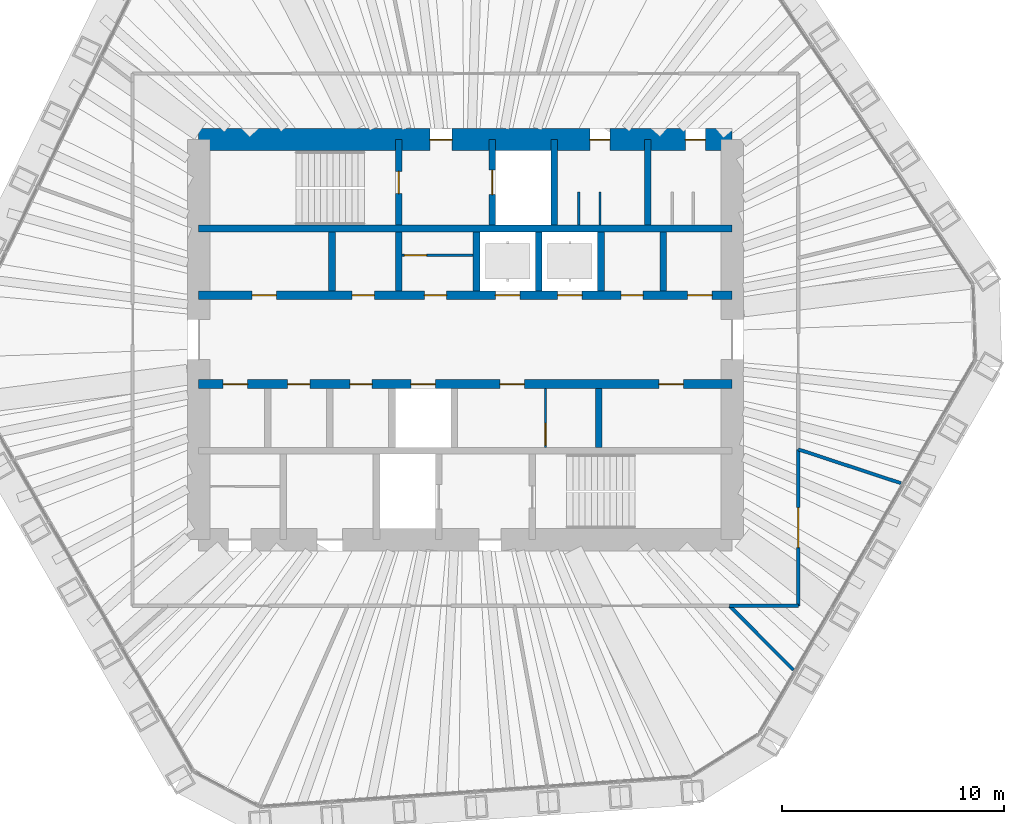
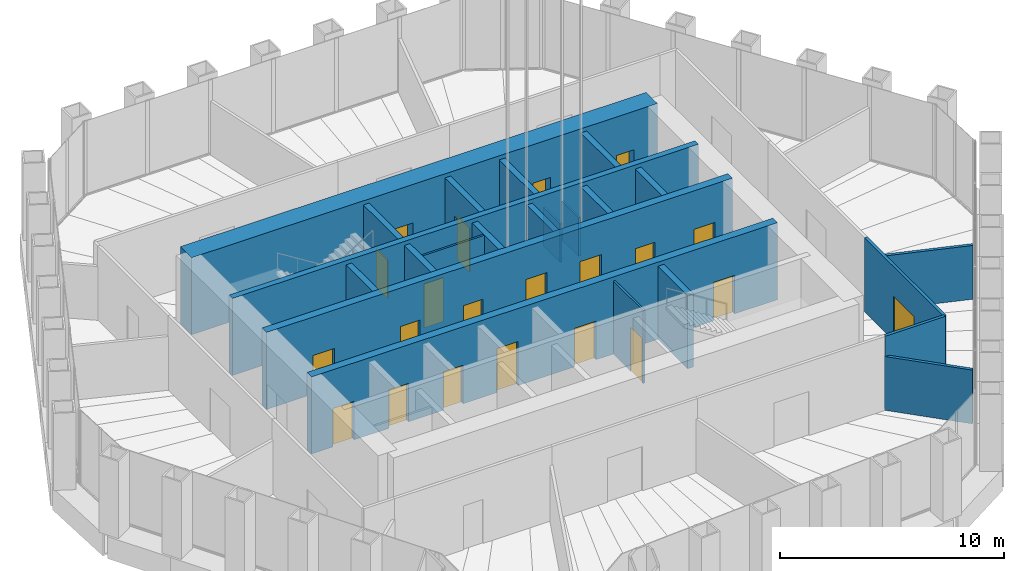
# One storey, part 12 of 19: 23 walls, 21 doors, 21 openings.
"""IFC4 building model written with IfcOpenShell, lengths in metres."""

from ifc_helpers import new_model, si_unit, direction, frame, frame_2d, origin, place, context, subcontext, project, spatial, rectangle, extrude, material, layer, layer_set, type_object, element, fill, save


model = new_model("IFC4")

# Units and contexts
model_context = context("Model", 3, precision=1e-05, world=origin(), true_north=direction((0.0, 1.0)))
body_context = subcontext(model_context, "Body", "Model", "MODEL_VIEW")
ifc_project = project(units=[si_unit("LENGTHUNIT", "METRE"), si_unit("AREAUNIT", "SQUARE_METRE"), si_unit("VOLUMEUNIT", "CUBIC_METRE"), si_unit("PLANEANGLEUNIT", "RADIAN"), si_unit("MASSUNIT", "GRAM", prefix="KILO")], contexts=[model_context])

# Site, building, storey
site_placement = place(None, origin())
site = spatial("IfcSite", under=ifc_project, at=site_placement, CompositionType="ELEMENT")
building_placement = place(site_placement, origin())
building = spatial("IfcBuilding", under=site, at=building_placement, Name="Qingtian Harvest Tower", CompositionType="ELEMENT")
storey_placement = place(building_placement, frame((0.0, 0.0, 262.0)))
storey = spatial("IfcBuildingStorey", under=building, at=storey_placement, Name="L57", CompositionType="ELEMENT", Elevation=262.0)

# Wall
ifc_material_1 = material(Name="Concrete fc' 70 MPa", Category="concrete")
ifc_layer_1 = layer(ifc_material_1, 0.300048828125)
ifc_layer_set_1 = layer_set([ifc_layer_1], Name="Core inner wall RC5 300")
wall_type_1 = type_object("IfcWallType", Name="Core inner wall RC5 300", PredefinedType="SHEAR", material=ifc_layer_set_1)
wall_1_placement = place(storey_placement, frame((-12.0, 5.0, 0.0), z_axis=(0.0, 0.0, 1.0), x_axis=(1.0, 0.0, 0.0)))
element("IfcWall", 1, at=wall_1_placement, inside=storey, type_object=wall_type_1, Name="Core wall IN5 L57", PredefinedType="SHEAR", context=body_context, shape_type="SweptSolid", body=[
    extrude(rectangle(XDim=24.0, YDim=0.300048828125, at=frame_2d((12.0, 0.0))), origin(), (0.0, 0.0, 1.0), 4.199951171875),
])

# Wall, openings, doors
ifc_material_2 = material(Name="Concrete fc' 70 MPa", Category="concrete")
ifc_layer_2 = layer(ifc_material_2, 0.39990234375)
ifc_layer_set_2 = layer_set([ifc_layer_2], Name="Core inner web RC6 400")
wall_type_2 = type_object("IfcWallType", Name="Core inner web RC6 400", PredefinedType="SHEAR", material=ifc_layer_set_2)
wall_2_placement = place(storey_placement, frame((-12.0, 2.0, 0.0), z_axis=(0.0, 0.0, 1.0), x_axis=(1.0, 0.0, 0.0)))
wall_2 = element("IfcWall", 2, at=wall_2_placement, inside=storey, type_object=wall_type_2, Name="Core wall IN2 L57", PredefinedType="SHEAR", context=body_context, shape_type="SweptSolid", body=[
    extrude(rectangle(XDim=24.0, YDim=0.39990234375, at=frame_2d((12.0, 0.0))), origin(), (0.0, 0.0, 1.0), 4.199951171875),
])
opening_1_placement = place(wall_2_placement, frame((2.39990234375, 0.0, 0.0)))
opening_1 = element("IfcOpeningElement", 3, at=opening_1_placement, cuts=wall_2, Name="Opening FD4", PredefinedType="OPENING", context=body_context, shape_type="SweptSolid", body=[
    extrude(rectangle(XDim=1.10009765625, YDim=2.10009765625, at=frame_2d((0.550048828125, 1.050048828125))), frame((0.0, 0.2099609375, 0.0), z_axis=(0.0, -1.0, 0.0), x_axis=(1.0, 0.0, 0.0)), (0.0, 0.0, 1.0), 0.419921875),
])
opening_2_placement = place(wall_2_placement, frame((22.0, 0.0, 0.0)))
opening_2 = element("IfcOpeningElement", 4, at=opening_2_placement, cuts=wall_2, Name="Opening FD4", PredefinedType="OPENING", context=body_context, shape_type="SweptSolid", body=[
    extrude(rectangle(XDim=1.10009765625, YDim=2.10009765625, at=frame_2d((0.550048828125, 1.050048828125))), frame((0.0, 0.2099609375, 0.0), z_axis=(0.0, -1.0, 0.0), x_axis=(1.0, 0.0, 0.0)), (0.0, 0.0, 1.0), 0.419921875),
])
opening_3_placement = place(wall_2_placement, frame((10.14990234375, 0.0, 0.0)))
opening_3 = element("IfcOpeningElement", 5, at=opening_3_placement, cuts=wall_2, Name="Opening FD1", PredefinedType="OPENING", context=body_context, shape_type="SweptSolid", body=[
    extrude(rectangle(XDim=1.0, YDim=2.10009765625, at=frame_2d((0.5, 1.050048828125))), frame((0.0, 0.2099609375, 0.0), z_axis=(0.0, -1.0, 0.0), x_axis=(1.0, 0.0, 0.0)), (0.0, 0.0, 1.0), 0.419921875),
])
opening_4_placement = place(wall_2_placement, frame((6.89990234375, 0.0, 0.0)))
opening_4 = element("IfcOpeningElement", 6, at=opening_4_placement, cuts=wall_2, Name="Opening FD1", PredefinedType="OPENING", context=body_context, shape_type="SweptSolid", body=[
    extrude(rectangle(XDim=1.0, YDim=2.10009765625, at=frame_2d((0.5, 1.050048828125))), frame((0.0, 0.2099609375, 0.0), z_axis=(0.0, -1.0, 0.0), x_axis=(1.0, 0.0, 0.0)), (0.0, 0.0, 1.0), 0.419921875),
])
opening_5_placement = place(wall_2_placement, frame((13.35009765625, 0.0, 0.0)))
opening_5 = element("IfcOpeningElement", 7, at=opening_5_placement, cuts=wall_2, Name="Opening LD1", PredefinedType="OPENING", context=body_context, shape_type="SweptSolid", body=[
    extrude(rectangle(XDim=1.10009765625, YDim=2.39990234375, at=frame_2d((0.550048828125, 1.199951171875))), frame((0.0, 0.2099609375, 0.0), z_axis=(0.0, -1.0, 0.0), x_axis=(1.0, 0.0, 0.0)), (0.0, 0.0, 1.0), 0.419921875),
])
opening_6_placement = place(wall_2_placement, frame((16.14990234375, 0.0, 0.0)))
opening_6 = element("IfcOpeningElement", 8, at=opening_6_placement, cuts=wall_2, Name="Opening LD1", PredefinedType="OPENING", context=body_context, shape_type="SweptSolid", body=[
    extrude(rectangle(XDim=1.10009765625, YDim=2.39990234375, at=frame_2d((0.550048828125, 1.199951171875))), frame((0.0, 0.2099609375, 0.0), z_axis=(0.0, -1.0, 0.0), x_axis=(1.0, 0.0, 0.0)), (0.0, 0.0, 1.0), 0.419921875),
])
opening_7_placement = place(wall_2_placement, frame((19.0, 0.0, 0.0)))
opening_7 = element("IfcOpeningElement", 9, at=opening_7_placement, cuts=wall_2, Name="Opening FD1", PredefinedType="OPENING", context=body_context, shape_type="SweptSolid", body=[
    extrude(rectangle(XDim=1.0, YDim=2.10009765625, at=frame_2d((0.5, 1.050048828125))), frame((0.0, 0.2099609375, 0.0), z_axis=(0.0, -1.0, 0.0), x_axis=(1.0, 0.0, 0.0)), (0.0, 0.0, 1.0), 0.419921875),
])
ifc_material_3 = material(Name="Steel-faced door leaf", Category="steel")
door_type_1 = type_object("IfcDoorType", Name="Fire door FD1 single 1 HR", OperationType="SINGLE_SWING_LEFT", PredefinedType="DOOR", material=ifc_material_3)
door_1_placement = place(opening_3_placement, origin())
door_1 = element("IfcDoor", 10, at=door_1_placement, inside=storey, type_object=door_type_1, Name="STA door L57", OperationType="SINGLE_SWING_RIGHT", OverallHeight=2.10009765625, OverallWidth=1.0, PredefinedType="DOOR", context=body_context, shape_type="SweptSolid", body=[
    extrude(rectangle(XDim=1.0, YDim=2.10009765625, at=frame_2d((0.5, 1.050048828125))), frame((0.0, 0.02490234375, 0.0), z_axis=(0.0, -1.0, 0.0), x_axis=(1.0, 0.0, 0.0)), (0.0, 0.0, 1.0), 0.050048828125),
])
fill(opening_3, door_1)
door_2_placement = place(opening_4_placement, origin())
door_2 = element("IfcDoor", 11, at=door_2_placement, inside=storey, type_object=door_type_1, Name="Store door L57", OperationType="SINGLE_SWING_LEFT", OverallHeight=2.10009765625, OverallWidth=1.0, PredefinedType="DOOR", context=body_context, shape_type="SweptSolid", body=[
    extrude(rectangle(XDim=1.0, YDim=2.10009765625, at=frame_2d((0.5, 1.050048828125))), frame((0.0, 0.02490234375, 0.0), z_axis=(0.0, -1.0, 0.0), x_axis=(1.0, 0.0, 0.0)), (0.0, 0.0, 1.0), 0.050048828125),
])
fill(opening_4, door_2)
door_3_placement = place(opening_7_placement, origin())
door_3 = element("IfcDoor", 12, at=door_3_placement, inside=storey, type_object=door_type_1, Name="Tool store door L57", OperationType="SINGLE_SWING_LEFT", OverallHeight=2.10009765625, OverallWidth=1.0, PredefinedType="DOOR", context=body_context, shape_type="SweptSolid", body=[
    extrude(rectangle(XDim=1.0, YDim=2.10009765625, at=frame_2d((0.5, 1.050048828125))), frame((0.0, 0.02490234375, 0.0), z_axis=(0.0, -1.0, 0.0), x_axis=(1.0, 0.0, 0.0)), (0.0, 0.0, 1.0), 0.050048828125),
])
fill(opening_7, door_3)
ifc_material_4 = material(Name="Steel-faced door leaf", Category="steel")
door_type_2 = type_object("IfcDoorType", Name="Fire door FD4 single 2 HR", OperationType="SINGLE_SWING_LEFT", PredefinedType="DOOR", material=ifc_material_4)
door_4_placement = place(opening_1_placement, origin())
door_4 = element("IfcDoor", 13, at=door_4_placement, inside=storey, type_object=door_type_2, Name="RA door L57", OperationType="SINGLE_SWING_RIGHT", OverallHeight=2.10009765625, OverallWidth=1.10009765625, PredefinedType="DOOR", context=body_context, shape_type="SweptSolid", body=[
    extrude(rectangle(XDim=1.10009765625, YDim=2.10009765625, at=frame_2d((0.550048828125, 1.050048828125))), frame((0.0, 0.02490234375, 0.0), z_axis=(0.0, -1.0, 0.0), x_axis=(1.0, 0.0, 0.0)), (0.0, 0.0, 1.0), 0.050048828125),
])
fill(opening_1, door_4)
door_5_placement = place(opening_2_placement, origin())
door_5 = element("IfcDoor", 14, at=door_5_placement, inside=storey, type_object=door_type_2, Name="AHU door L57", OperationType="SINGLE_SWING_LEFT", OverallHeight=2.10009765625, OverallWidth=1.10009765625, PredefinedType="DOOR", context=body_context, shape_type="SweptSolid", body=[
    extrude(rectangle(XDim=1.10009765625, YDim=2.10009765625, at=frame_2d((0.550048828125, 1.050048828125))), frame((0.0, 0.02490234375, 0.0), z_axis=(0.0, -1.0, 0.0), x_axis=(1.0, 0.0, 0.0)), (0.0, 0.0, 1.0), 0.050048828125),
])
fill(opening_2, door_5)
ifc_material_5 = material(Name="Stainless steel lift landing door", Category="steel")
door_type_3 = type_object("IfcDoorType", Name="Lift landing door LD1 1 HR", OperationType="DOUBLE_DOOR_SLIDING", PredefinedType="DOOR", material=ifc_material_5)
door_6_placement = place(opening_5_placement, origin())
door_6 = element("IfcDoor", 15, at=door_6_placement, inside=storey, type_object=door_type_3, Name="PLD1 landing door L57", OperationType="DOUBLE_DOOR_SLIDING", OverallHeight=2.39990234375, OverallWidth=1.10009765625, PredefinedType="DOOR", context=body_context, shape_type="SweptSolid", body=[
    extrude(rectangle(XDim=1.10009765625, YDim=2.39990234375, at=frame_2d((0.550048828125, 1.199951171875))), frame((0.0, 0.02490234375, 0.0), z_axis=(0.0, -1.0, 0.0), x_axis=(1.0, 0.0, 0.0)), (0.0, 0.0, 1.0), 0.050048828125),
])
fill(opening_5, door_6)
door_7_placement = place(opening_6_placement, origin())
door_7 = element("IfcDoor", 16, at=door_7_placement, inside=storey, type_object=door_type_3, Name="PLD2 landing door L57", OperationType="DOUBLE_DOOR_SLIDING", OverallHeight=2.39990234375, OverallWidth=1.10009765625, PredefinedType="DOOR", context=body_context, shape_type="SweptSolid", body=[
    extrude(rectangle(XDim=1.10009765625, YDim=2.39990234375, at=frame_2d((0.550048828125, 1.199951171875))), frame((0.0, 0.02490234375, 0.0), z_axis=(0.0, -1.0, 0.0), x_axis=(1.0, 0.0, 0.0)), (0.0, 0.0, 1.0), 0.050048828125),
])
fill(opening_6, door_7)

wall_3_placement = place(storey_placement, frame((-12.0, -2.0, 0.0), z_axis=(0.0, 0.0, 1.0), x_axis=(1.0, 0.0, 0.0)))
wall_3 = element("IfcWall", 17, at=wall_3_placement, inside=storey, type_object=wall_type_2, Name="Core wall IS2 L57", PredefinedType="SHEAR", context=body_context, shape_type="SweptSolid", body=[
    extrude(rectangle(XDim=24.0, YDim=0.39990234375, at=frame_2d((12.0, 0.0))), origin(), (0.0, 0.0, 1.0), 4.199951171875),
])
opening_8_placement = place(wall_3_placement, frame((1.10009765625, 0.0, 0.0)))
opening_8 = element("IfcOpeningElement", 18, at=opening_8_placement, cuts=wall_3, Name="Opening FD4", PredefinedType="OPENING", context=body_context, shape_type="SweptSolid", body=[
    extrude(rectangle(XDim=1.10009765625, YDim=2.10009765625, at=frame_2d((0.550048828125, 1.050048828125))), frame((0.0, 0.2099609375, 0.0), z_axis=(0.0, -1.0, 0.0), x_axis=(1.0, 0.0, 0.0)), (0.0, 0.0, 1.0), 0.419921875),
])
opening_9_placement = place(wall_3_placement, frame((13.550048828125, 0.0, 0.0)))
opening_9 = element("IfcOpeningElement", 19, at=opening_9_placement, cuts=wall_3, Name="Opening FD4", PredefinedType="OPENING", context=body_context, shape_type="SweptSolid", body=[
    extrude(rectangle(XDim=1.10009765625, YDim=2.10009765625, at=frame_2d((0.550048828125, 1.050048828125))), frame((0.0, 0.2099609375, 0.0), z_axis=(0.0, -1.0, 0.0), x_axis=(1.0, 0.0, 0.0)), (0.0, 0.0, 1.0), 0.419921875),
])
opening_10_placement = place(wall_3_placement, frame((20.699951171875, 0.0, 0.0)))
opening_10 = element("IfcOpeningElement", 20, at=opening_10_placement, cuts=wall_3, Name="Opening FD4", PredefinedType="OPENING", context=body_context, shape_type="SweptSolid", body=[
    extrude(rectangle(XDim=1.10009765625, YDim=2.10009765625, at=frame_2d((0.550048828125, 1.050048828125))), frame((0.0, 0.2099609375, 0.0), z_axis=(0.0, -1.0, 0.0), x_axis=(1.0, 0.0, 0.0)), (0.0, 0.0, 1.0), 0.419921875),
])
opening_11_placement = place(wall_3_placement, frame((4.0, 0.0, 0.0)))
opening_11 = element("IfcOpeningElement", 21, at=opening_11_placement, cuts=wall_3, Name="Opening FD1", PredefinedType="OPENING", context=body_context, shape_type="SweptSolid", body=[
    extrude(rectangle(XDim=1.0, YDim=2.10009765625, at=frame_2d((0.5, 1.050048828125))), frame((0.0, 0.2099609375, 0.0), z_axis=(0.0, -1.0, 0.0), x_axis=(1.0, 0.0, 0.0)), (0.0, 0.0, 1.0), 0.419921875),
])
opening_12_placement = place(wall_3_placement, frame((6.800048828125, 0.0, 0.0)))
opening_12 = element("IfcOpeningElement", 22, at=opening_12_placement, cuts=wall_3, Name="Opening FD1", PredefinedType="OPENING", context=body_context, shape_type="SweptSolid", body=[
    extrude(rectangle(XDim=1.0, YDim=2.10009765625, at=frame_2d((0.5, 1.050048828125))), frame((0.0, 0.2099609375, 0.0), z_axis=(0.0, -1.0, 0.0), x_axis=(1.0, 0.0, 0.0)), (0.0, 0.0, 1.0), 0.419921875),
])
opening_13_placement = place(wall_3_placement, frame((9.550048828125, 0.0, 0.0)))
opening_13 = element("IfcOpeningElement", 23, at=opening_13_placement, cuts=wall_3, Name="Opening LD1", PredefinedType="OPENING", context=body_context, shape_type="SweptSolid", body=[
    extrude(rectangle(XDim=1.10009765625, YDim=2.39990234375, at=frame_2d((0.550048828125, 1.199951171875))), frame((0.0, 0.2099609375, 0.0), z_axis=(0.0, -1.0, 0.0), x_axis=(1.0, 0.0, 0.0)), (0.0, 0.0, 1.0), 0.419921875),
])
door_8_placement = place(opening_11_placement, origin())
door_8 = element("IfcDoor", 24, at=door_8_placement, inside=storey, type_object=door_type_1, Name="Store door L57", OperationType="SINGLE_SWING_LEFT", OverallHeight=2.10009765625, OverallWidth=1.0, PredefinedType="DOOR", context=body_context, shape_type="SweptSolid", body=[
    extrude(rectangle(XDim=1.0, YDim=2.10009765625, at=frame_2d((0.5, 1.050048828125))), frame((0.0, 0.02490234375, 0.0), z_axis=(0.0, -1.0, 0.0), x_axis=(1.0, 0.0, 0.0)), (0.0, 0.0, 1.0), 0.050048828125),
])
fill(opening_11, door_8)
door_9_placement = place(opening_12_placement, origin())
door_9 = element("IfcDoor", 25, at=door_9_placement, inside=storey, type_object=door_type_1, Name="Linen store door L57", OperationType="SINGLE_SWING_LEFT", OverallHeight=2.10009765625, OverallWidth=1.0, PredefinedType="DOOR", context=body_context, shape_type="SweptSolid", body=[
    extrude(rectangle(XDim=1.0, YDim=2.10009765625, at=frame_2d((0.5, 1.050048828125))), frame((0.0, 0.02490234375, 0.0), z_axis=(0.0, -1.0, 0.0), x_axis=(1.0, 0.0, 0.0)), (0.0, 0.0, 1.0), 0.050048828125),
])
fill(opening_12, door_9)
door_10_placement = place(opening_8_placement, origin())
door_10 = element("IfcDoor", 26, at=door_10_placement, inside=storey, type_object=door_type_2, Name="RB door L57", OperationType="SINGLE_SWING_RIGHT", OverallHeight=2.10009765625, OverallWidth=1.10009765625, PredefinedType="DOOR", context=body_context, shape_type="SweptSolid", body=[
    extrude(rectangle(XDim=1.10009765625, YDim=2.10009765625, at=frame_2d((0.550048828125, 1.050048828125))), frame((0.0, 0.02490234375, 0.0), z_axis=(0.0, -1.0, 0.0), x_axis=(1.0, 0.0, 0.0)), (0.0, 0.0, 1.0), 0.050048828125),
])
fill(opening_8, door_10)
door_11_placement = place(opening_9_placement, origin())
door_11 = element("IfcDoor", 27, at=door_11_placement, inside=storey, type_object=door_type_2, Name="ELEC door L57", OperationType="SINGLE_SWING_RIGHT", OverallHeight=2.10009765625, OverallWidth=1.10009765625, PredefinedType="DOOR", context=body_context, shape_type="SweptSolid", body=[
    extrude(rectangle(XDim=1.10009765625, YDim=2.10009765625, at=frame_2d((0.550048828125, 1.050048828125))), frame((0.0, 0.02490234375, 0.0), z_axis=(0.0, -1.0, 0.0), x_axis=(1.0, 0.0, 0.0)), (0.0, 0.0, 1.0), 0.050048828125),
])
fill(opening_9, door_11)
door_12_placement = place(opening_10_placement, origin())
door_12 = element("IfcDoor", 28, at=door_12_placement, inside=storey, type_object=door_type_2, Name="DUCT door L57", OperationType="SINGLE_SWING_LEFT", OverallHeight=2.10009765625, OverallWidth=1.10009765625, PredefinedType="DOOR", context=body_context, shape_type="SweptSolid", body=[
    extrude(rectangle(XDim=1.10009765625, YDim=2.10009765625, at=frame_2d((0.550048828125, 1.050048828125))), frame((0.0, 0.02490234375, 0.0), z_axis=(0.0, -1.0, 0.0), x_axis=(1.0, 0.0, 0.0)), (0.0, 0.0, 1.0), 0.050048828125),
])
fill(opening_10, door_12)
door_13_placement = place(opening_13_placement, origin())
door_13 = element("IfcDoor", 29, at=door_13_placement, inside=storey, type_object=door_type_3, Name="SH3 landing door L57", OperationType="DOUBLE_DOOR_SLIDING", OverallHeight=2.39990234375, OverallWidth=1.10009765625, PredefinedType="DOOR", context=body_context, shape_type="SweptSolid", body=[
    extrude(rectangle(XDim=1.10009765625, YDim=2.39990234375, at=frame_2d((0.550048828125, 1.199951171875))), frame((0.0, 0.02490234375, 0.0), z_axis=(0.0, -1.0, 0.0), x_axis=(1.0, 0.0, 0.0)), (0.0, 0.0, 1.0), 0.050048828125),
])
fill(opening_13, door_13)

# Wall, opening, door
ifc_material_6 = material(Name="Precast concrete shaft panel", Category="concrete")
ifc_layer_3 = layer(ifc_material_6, 0.300048828125)
ifc_layer_set_3 = layer_set([ifc_layer_3], Name="Core shaft partition SW1 300")
wall_type_3 = type_object("IfcWallType", Name="Core shaft partition SW1 300", PredefinedType="PARTITIONING", material=ifc_layer_set_3)
wall_4_placement = place(storey_placement, frame((-3.0, 5.14990234375, 0.0), z_axis=(0.0, 0.0, 1.0), x_axis=(0.0, 1.0, 0.0)))
wall_4 = element("IfcWall", 30, at=wall_4_placement, inside=storey, type_object=wall_type_3, Name="Core shaft partition XN1 L57", PredefinedType="PARTITIONING", context=body_context, shape_type="SweptSolid", body=[
    extrude(rectangle(XDim=3.85009765625, YDim=0.300048828125, at=frame_2d((1.925048828125, 0.0))), origin(), (0.0, 0.0, 1.0), 3.97998046875),
])
opening_14_placement = place(wall_4_placement, frame((1.425048828125, 0.0, 0.0)))
opening_14 = element("IfcOpeningElement", 31, at=opening_14_placement, cuts=wall_4, Name="Opening FD1", PredefinedType="OPENING", context=body_context, shape_type="SweptSolid", body=[
    extrude(rectangle(XDim=1.0, YDim=2.10009765625, at=frame_2d((0.5, 1.050048828125))), frame((0.0, 0.159912109375, 0.0), z_axis=(0.0, -1.0, 0.0), x_axis=(1.0, 0.0, 0.0)), (0.0, 0.0, 1.0), 0.320068359375),
])
door_14_placement = place(opening_14_placement, origin())
door_14 = element("IfcDoor", 32, at=door_14_placement, inside=storey, type_object=door_type_1, Name="S1 door L57", OperationType="SINGLE_SWING_RIGHT", OverallHeight=2.10009765625, OverallWidth=1.0, PredefinedType="DOOR", context=body_context, shape_type="SweptSolid", body=[
    extrude(rectangle(XDim=1.0, YDim=2.10009765625, at=frame_2d((0.5, 1.050048828125))), frame((0.0, 0.02490234375, 0.0), z_axis=(0.0, -1.0, 0.0), x_axis=(1.0, 0.0, 0.0)), (0.0, 0.0, 1.0), 0.050048828125),
])
fill(opening_14, door_14)

wall_5_placement = place(storey_placement, frame((1.199951171875, 5.14990234375, 0.0), z_axis=(0.0, 0.0, 1.0), x_axis=(0.0, 1.0, 0.0)))
wall_5 = element("IfcWall", 33, at=wall_5_placement, inside=storey, type_object=wall_type_3, Name="Core shaft partition XN2 L57", PredefinedType="PARTITIONING", context=body_context, shape_type="SweptSolid", body=[
    extrude(rectangle(XDim=3.85009765625, YDim=0.300048828125, at=frame_2d((1.925048828125, 0.0))), origin(), (0.0, 0.0, 1.0), 3.97998046875),
])
opening_15_placement = place(wall_5_placement, frame((1.375, 0.0, 0.0)))
opening_15 = element("IfcOpeningElement", 34, at=opening_15_placement, cuts=wall_5, Name="Opening LD1", PredefinedType="OPENING", context=body_context, shape_type="SweptSolid", body=[
    extrude(rectangle(XDim=1.10009765625, YDim=2.39990234375, at=frame_2d((0.550048828125, 1.199951171875))), frame((0.0, 0.159912109375, 0.0), z_axis=(0.0, -1.0, 0.0), x_axis=(1.0, 0.0, 0.0)), (0.0, 0.0, 1.0), 0.320068359375),
])
door_15_placement = place(opening_15_placement, origin())
door_15 = element("IfcDoor", 35, at=door_15_placement, inside=storey, type_object=door_type_3, Name="FL1 landing door L57", OperationType="DOUBLE_DOOR_SLIDING", OverallHeight=2.39990234375, OverallWidth=1.10009765625, PredefinedType="DOOR", context=body_context, shape_type="SweptSolid", body=[
    extrude(rectangle(XDim=1.10009765625, YDim=2.39990234375, at=frame_2d((0.550048828125, 1.199951171875))), frame((0.0, 0.02490234375, 0.0), z_axis=(0.0, -1.0, 0.0), x_axis=(1.0, 0.0, 0.0)), (0.0, 0.0, 1.0), 0.050048828125),
])
fill(opening_15, door_15)

# Walls
for number, where, z_axis, x_axis, name in (
    (36, (4.0, 5.14990234375, 0.0), (0.0, 0.0, 1.0), (0.0, 1.0, 0.0), "Core shaft partition XN3 L57"),
    (37, (8.199951171875, 5.14990234375, 0.0), (0.0, 0.0, 1.0), (0.0, 1.0, 0.0), "Core shaft partition XN4 L57"),
):
    element("IfcWall", number, at=place(storey_placement, frame(where, z_axis=z_axis, x_axis=x_axis)), inside=storey, type_object=wall_type_3, Name=name, PredefinedType="PARTITIONING", context=body_context, shape_type="SweptSolid", body=[
        extrude(rectangle(XDim=3.85009765625, YDim=0.300048828125, at=frame_2d((1.925048828125, 0.0))), origin(), (0.0, 0.0, 1.0), 3.97998046875),
    ])
for number, where, z_axis, x_axis, name in (
    (38, (-6.0, 2.199951171875, 0.0), (0.0, 0.0, 1.0), (0.0, 1.0, 0.0), "Core shaft partition XA1 L57"),
    (39, (-3.0, 2.199951171875, 0.0), (0.0, 0.0, 1.0), (0.0, 1.0, 0.0), "Core shaft partition XA2 L57"),
    (40, (0.5, 2.199951171875, 0.0), (0.0, 0.0, 1.0), (0.0, 1.0, 0.0), "Core shaft partition XA3 L57"),
    (41, (3.300048828125, 2.199951171875, 0.0), (0.0, 0.0, 1.0), (0.0, 1.0, 0.0), "Core shaft partition XA4 L57"),
    (42, (6.10009765625, 2.199951171875, 0.0), (0.0, 0.0, 1.0), (0.0, 1.0, 0.0), "Core shaft partition XA5 L57"),
    (43, (8.89990234375, 2.199951171875, 0.0), (0.0, 0.0, 1.0), (0.0, 1.0, 0.0), "Core shaft partition XA6 L57"),
    (44, (6.0, -4.85009765625, 0.0), (0.0, 0.0, 1.0), (0.0, 1.0, 0.0), "Core shaft partition XB5 L57"),
):
    element("IfcWall", number, at=place(storey_placement, frame(where, z_axis=z_axis, x_axis=x_axis)), inside=storey, type_object=wall_type_3, Name=name, PredefinedType="PARTITIONING", context=body_context, shape_type="SweptSolid", body=[
        extrude(rectangle(XDim=2.650146484375, YDim=0.300048828125, at=frame_2d((1.3251953125, 0.0))), origin(), (0.0, 0.0, 1.0), 3.97998046875),
    ])

# Wall, openings, doors
ifc_material_7 = material(Name="Concrete fc' 70 MPa", Category="concrete")
ifc_layer_4 = layer(ifc_material_7, 1.0)
ifc_layer_set_4 = layer_set([ifc_layer_4], Name="Core wall RC3 1000")
wall_type_4 = type_object("IfcWallType", Name="Core wall RC3 1000", PredefinedType="SHEAR", material=ifc_layer_set_4)
wall_6_placement = place(storey_placement, frame((-12.0, 9.0, 0.0), z_axis=(0.0, 0.0, 1.0), x_axis=(1.0, 0.0, 0.0)))
wall_6 = element("IfcWall", 45, at=wall_6_placement, inside=storey, type_object=wall_type_4, Name="Core wall CN L57", PredefinedType="SHEAR", context=body_context, shape_type="SweptSolid", body=[
    extrude(rectangle(XDim=24.0, YDim=1.0, at=frame_2d((12.0, 0.0))), origin(), (0.0, 0.0, 1.0), 4.199951171875),
])
opening_16_placement = place(wall_6_placement, frame((10.39990234375, 0.0, 0.0)))
opening_16 = element("IfcOpeningElement", 46, at=opening_16_placement, cuts=wall_6, Name="Opening FD1", PredefinedType="OPENING", context=body_context, shape_type="SweptSolid", body=[
    extrude(rectangle(XDim=1.0, YDim=2.10009765625, at=frame_2d((0.5, 1.050048828125))), frame((0.0, 0.510009765625, 0.0), z_axis=(0.0, -1.0, 0.0), x_axis=(1.0, 0.0, 0.0)), (0.0, 0.0, 1.0), 1.02001953125),
])
opening_17_placement = place(wall_6_placement, frame((17.60009765625, 0.0, 0.0)))
opening_17 = element("IfcOpeningElement", 47, at=opening_17_placement, cuts=wall_6, Name="Opening D1", PredefinedType="OPENING", context=body_context, shape_type="SweptSolid", body=[
    extrude(rectangle(XDim=0.89990234375, YDim=2.10009765625, at=frame_2d((0.449951171875, 1.050048828125))), frame((0.0, 0.510009765625, 0.0), z_axis=(0.0, -1.0, 0.0), x_axis=(1.0, 0.0, 0.0)), (0.0, 0.0, 1.0), 1.02001953125),
])
opening_18_placement = place(wall_6_placement, frame((21.89990234375, 0.0, 0.0)))
opening_18 = element("IfcOpeningElement", 48, at=opening_18_placement, cuts=wall_6, Name="Opening D1", PredefinedType="OPENING", context=body_context, shape_type="SweptSolid", body=[
    extrude(rectangle(XDim=0.89990234375, YDim=2.10009765625, at=frame_2d((0.449951171875, 1.050048828125))), frame((0.0, 0.510009765625, 0.0), z_axis=(0.0, -1.0, 0.0), x_axis=(1.0, 0.0, 0.0)), (0.0, 0.0, 1.0), 1.02001953125),
])
door_16_placement = place(opening_16_placement, origin())
door_16 = element("IfcDoor", 49, at=door_16_placement, inside=storey, type_object=door_type_1, Name="V1 door L57", OperationType="SINGLE_SWING_RIGHT", OverallHeight=2.10009765625, OverallWidth=1.0, PredefinedType="DOOR", context=body_context, shape_type="SweptSolid", body=[
    extrude(rectangle(XDim=1.0, YDim=2.10009765625, at=frame_2d((0.5, 1.050048828125))), frame((0.0, 0.02490234375, 0.0), z_axis=(0.0, -1.0, 0.0), x_axis=(1.0, 0.0, 0.0)), (0.0, 0.0, 1.0), 0.050048828125),
])
fill(opening_16, door_16)
ifc_material_8 = material(Name="Laminated timber door leaf", Category="wood")
door_type_4 = type_object("IfcDoorType", Name="Toilet door D1 single", OperationType="SINGLE_SWING_LEFT", PredefinedType="DOOR", material=ifc_material_8)
door_17_placement = place(opening_17_placement, origin())
door_17 = element("IfcDoor", 50, at=door_17_placement, inside=storey, type_object=door_type_4, Name="WCM door L57", OperationType="SINGLE_SWING_RIGHT", OverallHeight=2.10009765625, OverallWidth=0.89990234375, PredefinedType="DOOR", context=body_context, shape_type="SweptSolid", body=[
    extrude(rectangle(XDim=0.89990234375, YDim=2.10009765625, at=frame_2d((0.449951171875, 1.050048828125))), frame((0.0, 0.02490234375, 0.0), z_axis=(0.0, -1.0, 0.0), x_axis=(1.0, 0.0, 0.0)), (0.0, 0.0, 1.0), 0.050048828125),
])
fill(opening_17, door_17)
door_18_placement = place(opening_18_placement, origin())
door_18 = element("IfcDoor", 51, at=door_18_placement, inside=storey, type_object=door_type_4, Name="WCF door L57", OperationType="SINGLE_SWING_RIGHT", OverallHeight=2.10009765625, OverallWidth=0.89990234375, PredefinedType="DOOR", context=body_context, shape_type="SweptSolid", body=[
    extrude(rectangle(XDim=0.89990234375, YDim=2.10009765625, at=frame_2d((0.449951171875, 1.050048828125))), frame((0.0, 0.02490234375, 0.0), z_axis=(0.0, -1.0, 0.0), x_axis=(1.0, 0.0, 0.0)), (0.0, 0.0, 1.0), 0.050048828125),
])
fill(opening_18, door_18)

# Wall
ifc_material_9 = material(Name="Gypsum board on steel studs", Category="steel")
ifc_layer_5 = layer(ifc_material_9, 0.14990234375)
ifc_layer_set_5 = layer_set([ifc_layer_5], Name="Partition PT1 150")
wall_type_5 = type_object("IfcWallType", Name="Partition PT1 150", PredefinedType="PARTITIONING", material=ifc_layer_set_5)
wall_7_placement = place(storey_placement, frame((19.598388671875, -6.458740234375, 0.0), z_axis=(0.0, 0.0, 1.0), x_axis=(-0.949751112406, 0.313006109338, 0.0)))
element("IfcWall", 52, at=wall_7_placement, inside=storey, type_object=wall_type_5, Name="Training room wall L57", PredefinedType="PARTITIONING", context=body_context, shape_type="SweptSolid", body=[
    extrude(rectangle(XDim=4.867919921875, YDim=0.14990234375, at=frame_2d((2.43408203125, 0.0))), origin(), (0.0, 0.0, 1.0), 2.929931640625),
])

# Wall, opening, door
wall_8_placement = place(storey_placement, frame((14.97509765625, -4.93505859375, 0.0), z_axis=(0.0, 0.0, 1.0), x_axis=(0.0, -1.0, 0.0)))
wall_8 = element("IfcWall", 53, at=wall_8_placement, inside=storey, type_object=wall_type_5, Name="Training room wall L57", PredefinedType="PARTITIONING", context=body_context, shape_type="SweptSolid", body=[
    extrude(rectangle(XDim=7.0400390625, YDim=0.14990234375, at=frame_2d((3.52001953125, 0.0))), origin(), (0.0, 0.0, 1.0), 4.030029296875),
])
opening_19_placement = place(wall_8_placement, frame((2.619873046875, 0.0, 0.0)))
opening_19 = element("IfcOpeningElement", 54, at=opening_19_placement, cuts=wall_8, Name="Opening D3", PredefinedType="OPENING", context=body_context, shape_type="SweptSolid", body=[
    extrude(rectangle(XDim=1.800048828125, YDim=2.39990234375, at=frame_2d((0.89990234375, 1.199951171875))), frame((0.0, 0.0849609375, 0.0), z_axis=(0.0, -1.0, 0.0), x_axis=(1.0, 0.0, 0.0)), (0.0, 0.0, 1.0), 0.169921875),
])
ifc_material_10 = material(Name="Laminated timber door leaf", Category="wood")
door_type_5 = type_object("IfcDoorType", Name="Room door D3 double", OperationType="DOUBLE_DOOR_DOUBLE_SWING", PredefinedType="DOOR", material=ifc_material_10)
door_19_placement = place(opening_19_placement, origin())
door_19 = element("IfcDoor", 55, at=door_19_placement, inside=storey, type_object=door_type_5, Name="Training room door L57", OperationType="DOUBLE_DOOR_DOUBLE_SWING", OverallHeight=2.39990234375, OverallWidth=1.800048828125, PredefinedType="DOOR", context=body_context, shape_type="SweptSolid", body=[
    extrude(rectangle(XDim=1.800048828125, YDim=2.39990234375, at=frame_2d((0.89990234375, 1.199951171875))), frame((0.0, 0.02490234375, 0.0), z_axis=(0.0, -1.0, 0.0), x_axis=(1.0, 0.0, 0.0)), (0.0, 0.0, 1.0), 0.050048828125),
])
fill(opening_19, door_19)

# Walls
wall_9_placement = place(storey_placement, frame((14.97509765625, -11.97509765625, 0.0), z_axis=(0.0, 0.0, 1.0), x_axis=(-1.0, 0.0, 0.0)))
element("IfcWall", 56, at=wall_9_placement, inside=storey, type_object=wall_type_5, Name="Training room wall L57", PredefinedType="PARTITIONING", context=body_context, shape_type="SweptSolid", body=[
    extrude(rectangle(XDim=3.086181640625, YDim=0.14990234375, at=frame_2d((1.54296875, 0.0))), origin(), (0.0, 0.0, 1.0), 4.030029296875),
])
wall_10_placement = place(storey_placement, frame((14.7509765625, -14.857666015625, 0.0), z_axis=(0.0, 0.0, 1.0), x_axis=(-0.704577983436, 0.709626567468, 0.0)))
element("IfcWall", 57, at=wall_10_placement, inside=storey, type_object=wall_type_5, Name="Training room wall L57", PredefinedType="PARTITIONING", context=body_context, shape_type="SweptSolid", body=[
    extrude(rectangle(XDim=4.06201171875, YDim=0.14990234375, at=frame_2d((2.031005859375, 0.0))), origin(), (0.0, 0.0, 1.0), 2.929931640625),
])

# Wall, opening, door
ifc_material_11 = material(Name="Concrete block partition", Category="concrete")
ifc_layer_6 = layer(ifc_material_11, 0.10009765625)
ifc_layer_set_6 = layer_set([ifc_layer_6], Name="Store partition PT3 100")
wall_type_6 = type_object("IfcWallType", Name="Store partition PT3 100", PredefinedType="PARTITIONING", material=ifc_layer_set_6)
wall_11_placement = place(storey_placement, frame((-2.85009765625, 3.800048828125, 0.0), z_axis=(0.0, 0.0, 1.0), x_axis=(1.0, 0.0, 0.0)))
wall_11 = element("IfcWall", 58, at=wall_11_placement, inside=storey, type_object=wall_type_6, Name="Archive store wall L57", PredefinedType="PARTITIONING", context=body_context, shape_type="SweptSolid", body=[
    extrude(rectangle(XDim=3.2001953125, YDim=0.10009765625, at=frame_2d((1.60009765625, 0.0))), origin(), (0.0, 0.0, 1.0), 3.97998046875),
])
opening_20_placement = place(wall_11_placement, frame((0.10009765625, 0.0, 0.0)))
opening_20 = element("IfcOpeningElement", 59, at=opening_20_placement, cuts=wall_11, Name="Opening D2", PredefinedType="OPENING", context=body_context, shape_type="SweptSolid", body=[
    extrude(rectangle(XDim=1.0, YDim=2.39990234375, at=frame_2d((0.5, 1.199951171875))), frame((0.0, 0.06005859375, 0.0), z_axis=(0.0, -1.0, 0.0), x_axis=(1.0, 0.0, 0.0)), (0.0, 0.0, 1.0), 0.1201171875),
])
ifc_material_12 = material(Name="Laminated timber door leaf", Category="wood")
door_type_6 = type_object("IfcDoorType", Name="Room door D2 single", OperationType="SINGLE_SWING_LEFT", PredefinedType="DOOR", material=ifc_material_12)
door_20_placement = place(opening_20_placement, origin())
door_20 = element("IfcDoor", 60, at=door_20_placement, inside=storey, type_object=door_type_6, Name="Archive store door L57", OperationType="SINGLE_SWING_RIGHT", OverallHeight=2.39990234375, OverallWidth=1.0, PredefinedType="DOOR", context=body_context, shape_type="SweptSolid", body=[
    extrude(rectangle(XDim=1.0, YDim=2.39990234375, at=frame_2d((0.5, 1.199951171875))), frame((0.0, 0.02490234375, 0.0), z_axis=(0.0, -1.0, 0.0), x_axis=(1.0, 0.0, 0.0)), (0.0, 0.0, 1.0), 0.050048828125),
])
fill(opening_20, door_20)

wall_12_placement = place(storey_placement, frame((3.60009765625, -4.85009765625, 0.0), z_axis=(0.0, 0.0, 1.0), x_axis=(0.0, 1.0, 0.0)))
wall_12 = element("IfcWall", 61, at=wall_12_placement, inside=storey, type_object=wall_type_6, Name="Comms room wall L57", PredefinedType="PARTITIONING", context=body_context, shape_type="SweptSolid", body=[
    extrude(rectangle(XDim=2.650146484375, YDim=0.10009765625, at=frame_2d((1.3251953125, 0.0))), origin(), (0.0, 0.0, 1.0), 3.97998046875),
])
opening_21_placement = place(wall_12_placement, frame((0.10009765625, 0.0, 0.0)))
opening_21 = element("IfcOpeningElement", 62, at=opening_21_placement, cuts=wall_12, Name="Opening D2", PredefinedType="OPENING", context=body_context, shape_type="SweptSolid", body=[
    extrude(rectangle(XDim=1.0, YDim=2.39990234375, at=frame_2d((0.5, 1.199951171875))), frame((0.0, 0.06005859375, 0.0), z_axis=(0.0, -1.0, 0.0), x_axis=(1.0, 0.0, 0.0)), (0.0, 0.0, 1.0), 0.1201171875),
])
door_21_placement = place(opening_21_placement, origin())
door_21 = element("IfcDoor", 63, at=door_21_placement, inside=storey, type_object=door_type_6, Name="Comms room door L57", OperationType="SINGLE_SWING_RIGHT", OverallHeight=2.39990234375, OverallWidth=1.0, PredefinedType="DOOR", context=body_context, shape_type="SweptSolid", body=[
    extrude(rectangle(XDim=1.0, YDim=2.39990234375, at=frame_2d((0.5, 1.199951171875))), frame((0.0, 0.02490234375, 0.0), z_axis=(0.0, -1.0, 0.0), x_axis=(1.0, 0.0, 0.0)), (0.0, 0.0, 1.0), 0.050048828125),
])
fill(opening_21, door_21)

# Walls
ifc_material_13 = material(Name="Compact laminate cubicle partition", Category="plastic")
ifc_layer_7 = layer(ifc_material_13, 0.10009765625)
ifc_layer_set_7 = layer_set([ifc_layer_7], Name="WC cubicle partition WP1 100")
wall_type_7 = type_object("IfcWallType", Name="WC cubicle partition WP1 100", PredefinedType="PARTITIONING", material=ifc_layer_set_7)
for number, where, z_axis, x_axis, name in (
    (64, (5.10009765625, 5.14990234375, 0.0), (0.0, 0.0, 1.0), (0.0, 1.0, 0.0), "WC cubicle partition WCM L57"),
    (65, (6.050048828125, 5.14990234375, 0.0), (0.0, 0.0, 1.0), (0.0, 1.0, 0.0), "WC cubicle partition WCM L57"),
):
    element("IfcWall", number, at=place(storey_placement, frame(where, z_axis=z_axis, x_axis=x_axis)), inside=storey, type_object=wall_type_7, Name=name, PredefinedType="PARTITIONING", context=body_context, shape_type="SweptSolid", body=[
        extrude(rectangle(XDim=1.5, YDim=0.10009765625, at=frame_2d((0.75, 0.0))), origin(), (0.0, 0.0, 1.0), 2.10009765625),
    ])

save(model, "model.ifc")
